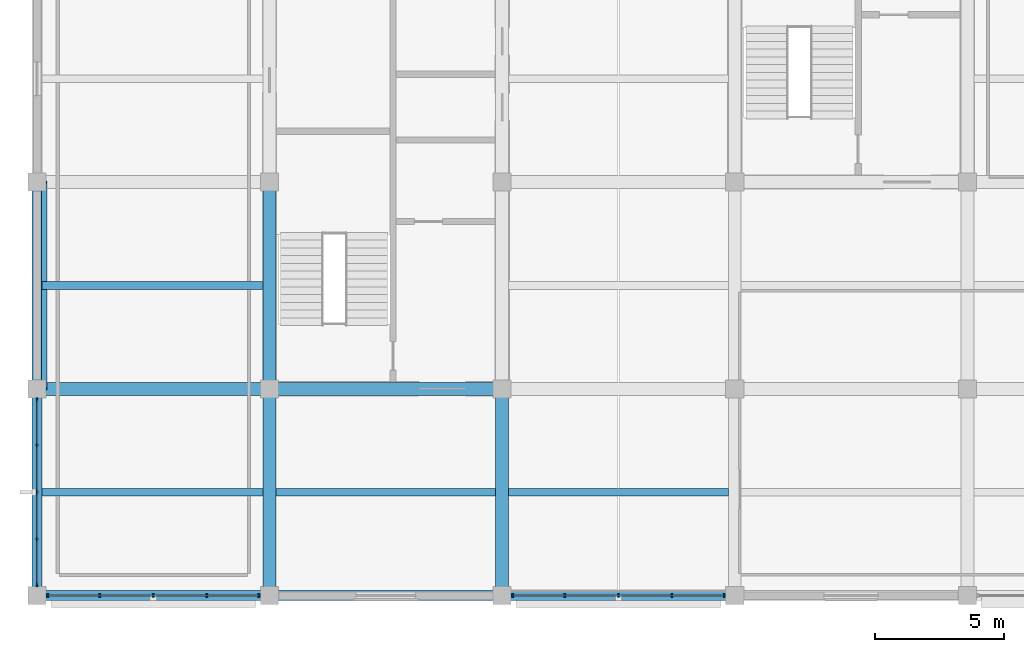
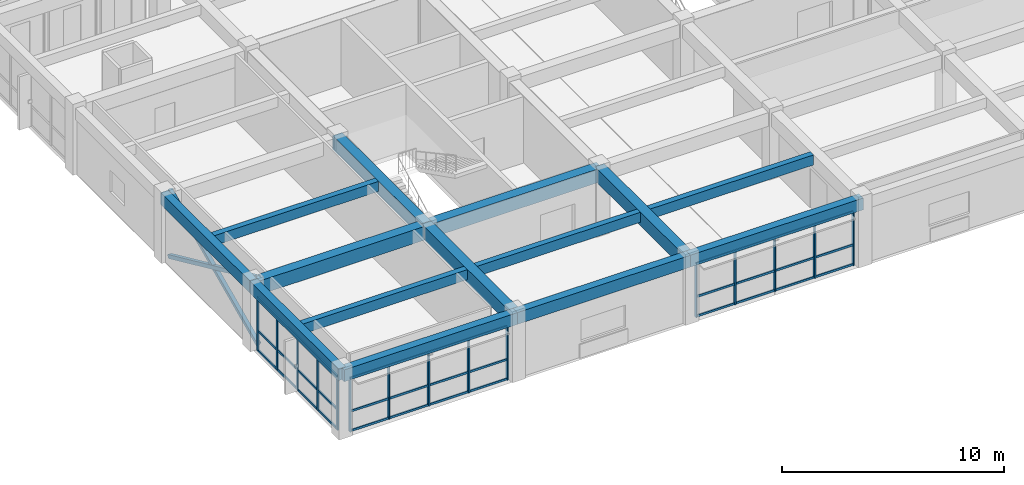
# One storey, part 2 of 13: 26 members, 14 beams, 3 elements without a shape of their own.
"""IFC4 building model written with IfcOpenShell, lengths in metres."""

from ifc_helpers import new_model, si_unit, direction, frame, origin, origin_2d, place, context, subcontext, project, spatial, rectangle, hollow_rectangle, extrude, material, material_profile, profile_set, type_object, element, aggregate, save


model = new_model("IFC4")

# Units and contexts
model_context = context("Model", 3, precision=1e-05, world=origin(), true_north=direction((0.0, 1.0)))
body_context = subcontext(model_context, "Body", "Model", "MODEL_VIEW")
ifc_project = project(units=[si_unit("LENGTHUNIT", "METRE"), si_unit("AREAUNIT", "SQUARE_METRE"), si_unit("VOLUMEUNIT", "CUBIC_METRE"), si_unit("PLANEANGLEUNIT", "RADIAN"), si_unit("MASSUNIT", "GRAM", prefix="KILO")], contexts=[model_context])

# Site, building, storey
site_placement = place(None, origin())
site = spatial("IfcSite", under=ifc_project, at=site_placement, CompositionType="ELEMENT")
building_placement = place(site_placement, origin())
building = spatial("IfcBuilding", under=site, at=building_placement, Name="Zaverband Oceanarium and Marine Research Institute", CompositionType="ELEMENT")
storey_placement = place(building_placement, frame((0.0, 0.0, 60.89990234375)))
storey = spatial("IfcBuildingStorey", under=building, at=storey_placement, Name="L15", CompositionType="ELEMENT", Elevation=60.89990234375)

# Beams
ifc_material_1 = material(Name="Concrete C40/50", Category="concrete")
ifc_material_profile_1 = material_profile(ifc_material_1, rectangle(XDim=0.5, YDim=0.75, at=origin_2d()), Name="RC500x750")
ifc_profile_set_1 = profile_set([ifc_material_profile_1], Name="Concrete C40/50")
beam_type_1 = type_object("IfcBeamType", Name="BM-500x750", PredefinedType="BEAM", material=ifc_profile_set_1)
for number, where, z_axis, x_axis, name in (
    (1, (9.0, 80.0, 3.275146484375), (1.0, 0.0, 0.0), (0.0, 1.0, 0.0), "Primary floor girder BM-500x750"),
    (2, (18.0, 80.0, 3.275146484375), (1.0, 0.0, 0.0), (0.0, 1.0, 0.0), "Primary floor girder BM-500x750"),
):
    element("IfcBeam", number, at=place(storey_placement, frame(where, z_axis=z_axis, x_axis=x_axis)), inside=storey, type_object=beam_type_1, Name=name, PredefinedType="BEAM", context=body_context, shape_type="SweptSolid", body=[
        extrude(rectangle(XDim=0.5, YDim=0.75, at=origin_2d()), origin(), (0.0, 0.0, 1.0), 9.0),
    ])
for number, where, z_axis, x_axis, name in (
    (3, (18.0, 72.0, 3.275146484375), (0.0, 1.0, 0.0), (-1.0, 0.0, 0.0), "Primary floor girder BM-500x750"),
    (4, (18.0, 80.0, 3.275146484375), (0.0, 1.0, 0.0), (-1.0, 0.0, 0.0), "Primary floor girder BM-500x750"),
    (5, (27.0, 72.0, 3.275146484375), (0.0, 1.0, 0.0), (-1.0, 0.0, 0.0), "Primary floor girder BM-500x750"),
):
    element("IfcBeam", number, at=place(storey_placement, frame(where, z_axis=z_axis, x_axis=x_axis)), inside=storey, type_object=beam_type_1, Name=name, PredefinedType="BEAM", context=body_context, shape_type="SweptSolid", body=[
        extrude(rectangle(XDim=0.5, YDim=0.75, at=origin_2d()), origin(), (0.0, 0.0, 1.0), 8.0),
    ])

# Members
ifc_material_2 = material(Name="Steel S355", Category="steel")
ifc_material_profile_2 = material_profile(ifc_material_2, hollow_rectangle(XDim=0.199951171875, YDim=0.199951171875, WallThickness=0.010009765625, at=origin_2d()), Name="SHS200x200x10")
ifc_profile_set_2 = profile_set([ifc_material_profile_2], Name="Steel S355")
member_type_1 = type_object("IfcMemberType", Name="BR-03", PredefinedType="BRACE", material=ifc_profile_set_2)
for number, where, z_axis, x_axis, name in (
    (6, (9.280029296875, 80.0, 0.0), (0.0, 0.90977508744, 0.415101542124), (-1.0, 0.0, 0.0), "Diagonal lateral brace BR-03"),
    (7, (9.280029296875, 88.0, 0.0), (0.0, -0.90977508744, 0.415101542124), (1.0, 0.0, 0.0), "Diagonal lateral brace BR-03"),
):
    element("IfcMember", number, at=place(storey_placement, frame(where, z_axis=z_axis, x_axis=x_axis)), inside=storey, type_object=member_type_1, Name=name, PredefinedType="BRACE", context=body_context, shape_type="SweptSolid", body=[
        extrude(hollow_rectangle(XDim=0.199951171875, YDim=0.199951171875, WallThickness=0.010009765625, at=origin_2d()), origin(), (0.0, 0.0, 1.0), 8.79345703125),
    ])

# Beams
ifc_material_profile_3 = material_profile(ifc_material_1, rectangle(XDim=0.300048828125, YDim=0.550048828125, at=origin_2d()), Name="RC300x550")
ifc_profile_set_3 = profile_set([ifc_material_profile_3], Name="Concrete C40/50")
beam_type_2 = type_object("IfcBeamType", Name="JST-300x550", PredefinedType="JOIST", material=ifc_profile_set_3)
for number, where, z_axis, x_axis, name in (
    (8, (9.199951171875, 76.0, 3.375), (1.0, 0.0, 0.0), (0.0, 1.0, 0.0), "Secondary floor joist JST-300x550"),
    (9, (9.199951171875, 84.0, 3.375), (1.0, 0.0, 0.0), (0.0, 1.0, 0.0), "Secondary floor joist JST-300x550"),
):
    element("IfcBeam", number, at=place(storey_placement, frame(where, z_axis=z_axis, x_axis=x_axis)), inside=storey, type_object=beam_type_2, Name=name, PredefinedType="JOIST", context=body_context, shape_type="SweptSolid", body=[
        extrude(rectangle(XDim=0.300048828125, YDim=0.550048828125, at=origin_2d()), origin(), (0.0, 0.0, 1.0), 8.550048828125),
    ])
for number, where, z_axis, x_axis, name in (
    (10, (18.25, 76.0, 3.375), (1.0, 0.0, 0.0), (0.0, 1.0, 0.0), "Secondary floor joist JST-300x550"),
    (11, (27.25, 76.0, 3.375), (1.0, 0.0, 0.0), (0.0, 1.0, 0.0), "Secondary floor joist JST-300x550"),
):
    element("IfcBeam", number, at=place(storey_placement, frame(where, z_axis=z_axis, x_axis=x_axis)), inside=storey, type_object=beam_type_2, Name=name, PredefinedType="JOIST", context=body_context, shape_type="SweptSolid", body=[
        extrude(rectangle(XDim=0.300048828125, YDim=0.550048828125, at=origin_2d()), origin(), (0.0, 0.0, 1.0), 8.5),
    ])

# Curtain wall, members
ifc_material_3 = material(Name="Thermally broken anodized aluminium and solar-control glass", Category="aluminium")
curtain_wall_type = type_object("IfcCurtainWallType", Name="CW-UNIT-1800", PredefinedType="NOTDEFINED", material=ifc_material_3)
curtain_wall_1_placement = place(storey_placement, origin())
curtain_wall_1 = element("IfcCurtainWall", 12, at=curtain_wall_1_placement, inside=storey, type_object=curtain_wall_type, Name="Unitised glazed curtain wall CW-156", PredefinedType="NOTDEFINED")
ifc_material_4 = material(Name="Thermally broken anodized aluminium", Category="aluminium")
ifc_material_profile_4 = material_profile(ifc_material_4, rectangle(XDim=0.070068359375, YDim=0.14990234375, at=origin_2d()), Name="AL-MUL-70x150")
ifc_profile_set_4 = profile_set([ifc_material_profile_4], Name="Thermally broken anodized aluminium")
member_type_2 = type_object("IfcMemberType", Name="MUL-70x150", PredefinedType="MULLION", material=ifc_profile_set_4)
member_1_placement = place(storey_placement, frame((9.4150390625, 72.0, 0.0), z_axis=(0.0, 0.0, 1.0), x_axis=(1.0, 0.0, 0.0)))
member_1 = element("IfcMember", 13, at=member_1_placement, type_object=member_type_2, Name="Curtain wall vertical mullion MUL-70x150", PredefinedType="MULLION", context=body_context, shape_type="SweptSolid", body=[
    extrude(rectangle(XDim=0.070068359375, YDim=0.14990234375, at=origin_2d()), origin(), (0.0, 0.0, 1.0), 2.97998046875),
])
member_2_placement = place(storey_placement, frame((11.427490234375, 72.0, 0.0), z_axis=(0.0, 0.0, 1.0), x_axis=(1.0, 0.0, 0.0)))
member_2 = element("IfcMember", 14, at=member_2_placement, type_object=member_type_2, Name="Curtain wall vertical mullion MUL-70x150", PredefinedType="MULLION", context=body_context, shape_type="SweptSolid", body=[
    extrude(rectangle(XDim=0.070068359375, YDim=0.14990234375, at=origin_2d()), origin(), (0.0, 0.0, 1.0), 2.97998046875),
])
member_3_placement = place(storey_placement, frame((13.5, 72.0, 0.0), z_axis=(0.0, 0.0, 1.0), x_axis=(1.0, 0.0, 0.0)))
member_3 = element("IfcMember", 15, at=member_3_placement, type_object=member_type_2, Name="Curtain wall vertical mullion MUL-70x150", PredefinedType="MULLION", context=body_context, shape_type="SweptSolid", body=[
    extrude(rectangle(XDim=0.070068359375, YDim=0.14990234375, at=origin_2d()), origin(), (0.0, 0.0, 1.0), 2.97998046875),
])
member_4_placement = place(storey_placement, frame((15.572509765625, 72.0, 0.0), z_axis=(0.0, 0.0, 1.0), x_axis=(1.0, 0.0, 0.0)))
member_4 = element("IfcMember", 16, at=member_4_placement, type_object=member_type_2, Name="Curtain wall vertical mullion MUL-70x150", PredefinedType="MULLION", context=body_context, shape_type="SweptSolid", body=[
    extrude(rectangle(XDim=0.070068359375, YDim=0.14990234375, at=origin_2d()), origin(), (0.0, 0.0, 1.0), 2.97998046875),
])
member_5_placement = place(storey_placement, frame((17.5849609375, 72.0, 0.0), z_axis=(0.0, 0.0, 1.0), x_axis=(1.0, 0.0, 0.0)))
member_5 = element("IfcMember", 17, at=member_5_placement, type_object=member_type_2, Name="Curtain wall vertical mullion MUL-70x150", PredefinedType="MULLION", context=body_context, shape_type="SweptSolid", body=[
    extrude(rectangle(XDim=0.070068359375, YDim=0.14990234375, at=origin_2d()), origin(), (0.0, 0.0, 1.0), 2.97998046875),
])

curtain_wall_2_placement = place(storey_placement, origin())
curtain_wall_2 = element("IfcCurtainWall", 18, at=curtain_wall_2_placement, inside=storey, type_object=curtain_wall_type, Name="Unitised glazed curtain wall CW-157", PredefinedType="NOTDEFINED")
member_6_placement = place(storey_placement, frame((27.4150390625, 72.0, 0.0), z_axis=(0.0, 0.0, 1.0), x_axis=(1.0, 0.0, 0.0)))
member_6 = element("IfcMember", 19, at=member_6_placement, type_object=member_type_2, Name="Curtain wall vertical mullion MUL-70x150", PredefinedType="MULLION", context=body_context, shape_type="SweptSolid", body=[
    extrude(rectangle(XDim=0.070068359375, YDim=0.14990234375, at=origin_2d()), origin(), (0.0, 0.0, 1.0), 2.97998046875),
])
member_7_placement = place(storey_placement, frame((29.427490234375, 72.0, 0.0), z_axis=(0.0, 0.0, 1.0), x_axis=(1.0, 0.0, 0.0)))
member_7 = element("IfcMember", 20, at=member_7_placement, type_object=member_type_2, Name="Curtain wall vertical mullion MUL-70x150", PredefinedType="MULLION", context=body_context, shape_type="SweptSolid", body=[
    extrude(rectangle(XDim=0.070068359375, YDim=0.14990234375, at=origin_2d()), origin(), (0.0, 0.0, 1.0), 2.97998046875),
])
member_8_placement = place(storey_placement, frame((31.5, 72.0, 0.0), z_axis=(0.0, 0.0, 1.0), x_axis=(1.0, 0.0, 0.0)))
member_8 = element("IfcMember", 21, at=member_8_placement, type_object=member_type_2, Name="Curtain wall vertical mullion MUL-70x150", PredefinedType="MULLION", context=body_context, shape_type="SweptSolid", body=[
    extrude(rectangle(XDim=0.070068359375, YDim=0.14990234375, at=origin_2d()), origin(), (0.0, 0.0, 1.0), 2.97998046875),
])
member_9_placement = place(storey_placement, frame((33.572509765625, 72.0, 0.0), z_axis=(0.0, 0.0, 1.0), x_axis=(1.0, 0.0, 0.0)))
member_9 = element("IfcMember", 22, at=member_9_placement, type_object=member_type_2, Name="Curtain wall vertical mullion MUL-70x150", PredefinedType="MULLION", context=body_context, shape_type="SweptSolid", body=[
    extrude(rectangle(XDim=0.070068359375, YDim=0.14990234375, at=origin_2d()), origin(), (0.0, 0.0, 1.0), 2.97998046875),
])
member_10_placement = place(storey_placement, frame((35.5849609375, 72.0, 0.0), z_axis=(0.0, 0.0, 1.0), x_axis=(1.0, 0.0, 0.0)))
member_10 = element("IfcMember", 23, at=member_10_placement, type_object=member_type_2, Name="Curtain wall vertical mullion MUL-70x150", PredefinedType="MULLION", context=body_context, shape_type="SweptSolid", body=[
    extrude(rectangle(XDim=0.070068359375, YDim=0.14990234375, at=origin_2d()), origin(), (0.0, 0.0, 1.0), 2.97998046875),
])

curtain_wall_3_placement = place(storey_placement, origin())
curtain_wall_3 = element("IfcCurtainWall", 24, at=curtain_wall_3_placement, inside=storey, type_object=curtain_wall_type, Name="Unitised glazed curtain wall CW-162", PredefinedType="NOTDEFINED")
member_11_placement = place(storey_placement, frame((9.0, 72.4150390625, 0.0), z_axis=(0.0, 0.0, 1.0), x_axis=(1.0, 0.0, 0.0)))
member_11 = element("IfcMember", 25, at=member_11_placement, type_object=member_type_2, Name="Curtain wall vertical mullion MUL-70x150", PredefinedType="MULLION", context=body_context, shape_type="SweptSolid", body=[
    extrude(rectangle(XDim=0.070068359375, YDim=0.14990234375, at=origin_2d()), origin(), (0.0, 0.0, 1.0), 2.97998046875),
])
member_12_placement = place(storey_placement, frame((9.0, 74.177490234375, 0.0), z_axis=(0.0, 0.0, 1.0), x_axis=(1.0, 0.0, 0.0)))
member_12 = element("IfcMember", 26, at=member_12_placement, type_object=member_type_2, Name="Curtain wall vertical mullion MUL-70x150", PredefinedType="MULLION", context=body_context, shape_type="SweptSolid", body=[
    extrude(rectangle(XDim=0.070068359375, YDim=0.14990234375, at=origin_2d()), origin(), (0.0, 0.0, 1.0), 2.97998046875),
])
member_13_placement = place(storey_placement, frame((9.0, 76.0, 0.0), z_axis=(0.0, 0.0, 1.0), x_axis=(1.0, 0.0, 0.0)))
member_13 = element("IfcMember", 27, at=member_13_placement, type_object=member_type_2, Name="Curtain wall vertical mullion MUL-70x150", PredefinedType="MULLION", context=body_context, shape_type="SweptSolid", body=[
    extrude(rectangle(XDim=0.070068359375, YDim=0.14990234375, at=origin_2d()), origin(), (0.0, 0.0, 1.0), 2.97998046875),
])
member_14_placement = place(storey_placement, frame((9.0, 77.822509765625, 0.0), z_axis=(0.0, 0.0, 1.0), x_axis=(1.0, 0.0, 0.0)))
member_14 = element("IfcMember", 28, at=member_14_placement, type_object=member_type_2, Name="Curtain wall vertical mullion MUL-70x150", PredefinedType="MULLION", context=body_context, shape_type="SweptSolid", body=[
    extrude(rectangle(XDim=0.070068359375, YDim=0.14990234375, at=origin_2d()), origin(), (0.0, 0.0, 1.0), 2.97998046875),
])
member_15_placement = place(storey_placement, frame((9.0, 79.5849609375, 0.0), z_axis=(0.0, 0.0, 1.0), x_axis=(1.0, 0.0, 0.0)))
member_15 = element("IfcMember", 29, at=member_15_placement, type_object=member_type_2, Name="Curtain wall vertical mullion MUL-70x150", PredefinedType="MULLION", context=body_context, shape_type="SweptSolid", body=[
    extrude(rectangle(XDim=0.070068359375, YDim=0.14990234375, at=origin_2d()), origin(), (0.0, 0.0, 1.0), 2.97998046875),
])

# Beams
ifc_material_profile_5 = material_profile(ifc_material_1, rectangle(XDim=0.39990234375, YDim=0.64990234375, at=origin_2d()), Name="RC400x650")
ifc_profile_set_5 = profile_set([ifc_material_profile_5], Name="Concrete C40/50")
beam_type_3 = type_object("IfcBeamType", Name="SPN-400x650", PredefinedType="SPANDREL", material=ifc_profile_set_5)
for number, where, z_axis, x_axis, name in (
    (30, (9.0, 72.0, 3.3251953125), (1.0, 0.0, 0.0), (0.0, 1.0, 0.0), "Perimeter spandrel beam SPN-400x650"),
    (31, (18.0, 72.0, 3.3251953125), (1.0, 0.0, 0.0), (0.0, 1.0, 0.0), "Perimeter spandrel beam SPN-400x650"),
    (32, (27.0, 72.0, 3.3251953125), (1.0, 0.0, 0.0), (0.0, 1.0, 0.0), "Perimeter spandrel beam SPN-400x650"),
):
    element("IfcBeam", number, at=place(storey_placement, frame(where, z_axis=z_axis, x_axis=x_axis)), inside=storey, type_object=beam_type_3, Name=name, PredefinedType="SPANDREL", context=body_context, shape_type="SweptSolid", body=[
        extrude(rectangle(XDim=0.39990234375, YDim=0.64990234375, at=origin_2d()), origin(), (0.0, 0.0, 1.0), 9.0),
    ])
for number, where, z_axis, x_axis, name in (
    (33, (9.0, 72.0, 3.3251953125), (0.0, 1.0, 0.0), (-1.0, 0.0, 0.0), "Perimeter spandrel beam SPN-400x650"),
    (34, (9.0, 80.0, 3.3251953125), (0.0, 1.0, 0.0), (-1.0, 0.0, 0.0), "Perimeter spandrel beam SPN-400x650"),
):
    element("IfcBeam", number, at=place(storey_placement, frame(where, z_axis=z_axis, x_axis=x_axis)), inside=storey, type_object=beam_type_3, Name=name, PredefinedType="SPANDREL", context=body_context, shape_type="SweptSolid", body=[
        extrude(rectangle(XDim=0.39990234375, YDim=0.64990234375, at=origin_2d()), origin(), (0.0, 0.0, 1.0), 8.0),
    ])

# Member
ifc_material_profile_6 = material_profile(ifc_material_4, rectangle(XDim=0.070068359375, YDim=0.114990234375, at=origin_2d()), Name="AL-TRN-70x115")
ifc_profile_set_6 = profile_set([ifc_material_profile_6], Name="Thermally broken anodized aluminium")
member_type_3 = type_object("IfcMemberType", Name="TRN-70x115", PredefinedType="USERDEFINED", material=ifc_profile_set_6)
member_16_placement = place(storey_placement, frame((9.4150390625, 72.0, 0.050048828125), z_axis=(1.0, 0.0, 0.0), x_axis=(0.0, 1.0, 0.0)))
member_16 = element("IfcMember", 35, at=member_16_placement, type_object=member_type_3, Name="Curtain wall horizontal transom TRN-70x115", ObjectType="TRANSOM", PredefinedType="USERDEFINED", context=body_context, shape_type="SweptSolid", body=[
    extrude(rectangle(XDim=0.070068359375, YDim=0.114990234375, at=origin_2d()), origin(), (0.0, 0.0, 1.0), 8.169921875),
])

member_17_placement = place(storey_placement, frame((9.4150390625, 72.0, 1.123046875), z_axis=(1.0, 0.0, 0.0), x_axis=(0.0, 1.0, 0.0)))
member_17 = element("IfcMember", 36, at=member_17_placement, type_object=member_type_3, Name="Curtain wall horizontal transom TRN-70x115", ObjectType="TRANSOM", PredefinedType="USERDEFINED", context=body_context, shape_type="SweptSolid", body=[
    extrude(rectangle(XDim=0.070068359375, YDim=0.114990234375, at=origin_2d()), origin(), (0.0, 0.0, 1.0), 8.169921875),
])

member_18_placement = place(storey_placement, frame((9.4150390625, 72.0, 2.93017578125), z_axis=(1.0, 0.0, 0.0), x_axis=(0.0, 1.0, 0.0)))
member_18 = element("IfcMember", 37, at=member_18_placement, type_object=member_type_3, Name="Curtain wall horizontal transom TRN-70x115", ObjectType="TRANSOM", PredefinedType="USERDEFINED", context=body_context, shape_type="SweptSolid", body=[
    extrude(rectangle(XDim=0.070068359375, YDim=0.114990234375, at=origin_2d()), origin(), (0.0, 0.0, 1.0), 8.169921875),
])

aggregate(curtain_wall_1, [member_1, member_2, member_3, member_4, member_5, member_16, member_17, member_18])

member_19_placement = place(storey_placement, frame((27.4150390625, 72.0, 0.050048828125), z_axis=(1.0, 0.0, 0.0), x_axis=(0.0, 1.0, 0.0)))
member_19 = element("IfcMember", 38, at=member_19_placement, type_object=member_type_3, Name="Curtain wall horizontal transom TRN-70x115", ObjectType="TRANSOM", PredefinedType="USERDEFINED", context=body_context, shape_type="SweptSolid", body=[
    extrude(rectangle(XDim=0.070068359375, YDim=0.114990234375, at=origin_2d()), origin(), (0.0, 0.0, 1.0), 8.169921875),
])

member_20_placement = place(storey_placement, frame((27.4150390625, 72.0, 1.123046875), z_axis=(1.0, 0.0, 0.0), x_axis=(0.0, 1.0, 0.0)))
member_20 = element("IfcMember", 39, at=member_20_placement, type_object=member_type_3, Name="Curtain wall horizontal transom TRN-70x115", ObjectType="TRANSOM", PredefinedType="USERDEFINED", context=body_context, shape_type="SweptSolid", body=[
    extrude(rectangle(XDim=0.070068359375, YDim=0.114990234375, at=origin_2d()), origin(), (0.0, 0.0, 1.0), 8.169921875),
])

member_21_placement = place(storey_placement, frame((27.4150390625, 72.0, 2.93017578125), z_axis=(1.0, 0.0, 0.0), x_axis=(0.0, 1.0, 0.0)))
member_21 = element("IfcMember", 40, at=member_21_placement, type_object=member_type_3, Name="Curtain wall horizontal transom TRN-70x115", ObjectType="TRANSOM", PredefinedType="USERDEFINED", context=body_context, shape_type="SweptSolid", body=[
    extrude(rectangle(XDim=0.070068359375, YDim=0.114990234375, at=origin_2d()), origin(), (0.0, 0.0, 1.0), 8.169921875),
])

aggregate(curtain_wall_2, [member_6, member_7, member_8, member_9, member_10, member_19, member_20, member_21])

member_22_placement = place(storey_placement, frame((9.0, 72.4150390625, 0.050048828125), z_axis=(0.0, 1.0, 0.0), x_axis=(-1.0, 0.0, 0.0)))
member_22 = element("IfcMember", 41, at=member_22_placement, type_object=member_type_3, Name="Curtain wall horizontal transom TRN-70x115", ObjectType="TRANSOM", PredefinedType="USERDEFINED", context=body_context, shape_type="SweptSolid", body=[
    extrude(rectangle(XDim=0.070068359375, YDim=0.114990234375, at=origin_2d()), origin(), (0.0, 0.0, 1.0), 7.169921875),
])

member_23_placement = place(storey_placement, frame((9.0, 72.4150390625, 1.123046875), z_axis=(0.0, 1.0, 0.0), x_axis=(-1.0, 0.0, 0.0)))
member_23 = element("IfcMember", 42, at=member_23_placement, type_object=member_type_3, Name="Curtain wall horizontal transom TRN-70x115", ObjectType="TRANSOM", PredefinedType="USERDEFINED", context=body_context, shape_type="SweptSolid", body=[
    extrude(rectangle(XDim=0.070068359375, YDim=0.114990234375, at=origin_2d()), origin(), (0.0, 0.0, 1.0), 7.169921875),
])

member_24_placement = place(storey_placement, frame((9.0, 72.4150390625, 2.93017578125), z_axis=(0.0, 1.0, 0.0), x_axis=(-1.0, 0.0, 0.0)))
member_24 = element("IfcMember", 43, at=member_24_placement, type_object=member_type_3, Name="Curtain wall horizontal transom TRN-70x115", ObjectType="TRANSOM", PredefinedType="USERDEFINED", context=body_context, shape_type="SweptSolid", body=[
    extrude(rectangle(XDim=0.070068359375, YDim=0.114990234375, at=origin_2d()), origin(), (0.0, 0.0, 1.0), 7.169921875),
])

aggregate(curtain_wall_3, [member_11, member_12, member_13, member_14, member_15, member_22, member_23, member_24])

save(model, "model.ifc")
